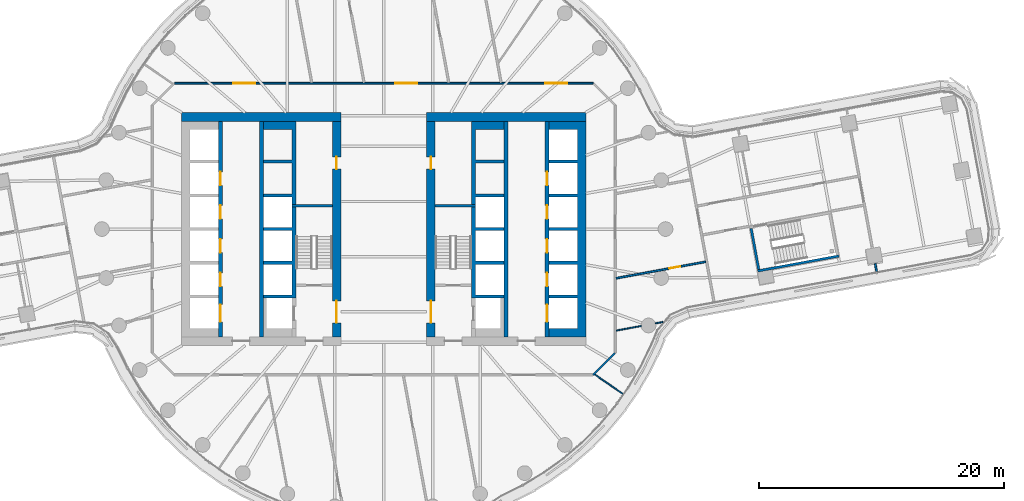
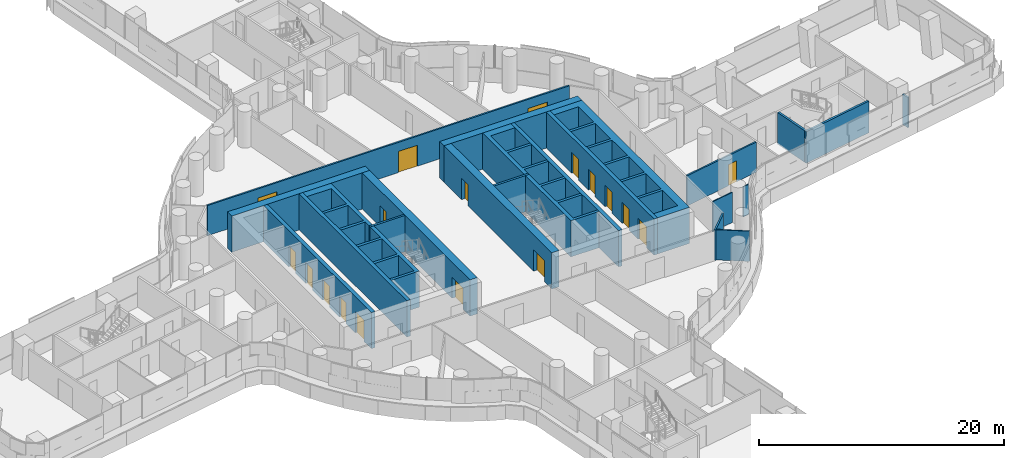
# One storey, part 22 of 33: 22 walls, 18 doors, 18 openings.
"""IFC4 building model written with IfcOpenShell, lengths in metres."""

import ifcopenshell
import ifcopenshell.guid

model = None  # the IFC model being written
_history = None  # IfcOwnerHistory: only IFC2X3 demands one
_inside = {}  # id of a spatial element -> (the spatial element, [elements in it])
_under = {}  # id of a project, library or spatial element -> (it, [spatial elements below it])
_declared = {}  # id of a project -> (the project, [libraries it declares])
_typed = {}  # id of a type object -> (the type object, [elements of that type])
_made_of = {}  # id of a material, layer set ... -> (it, [elements and type objects made of it])


def new_model(schema):
    """Start an empty IFC model of exactly this schema.

    Asked for "IFC4X3", IfcOpenShell would pick the latest addendum, in which some entities
    have other attributes; the version numbers below select the first issue.
    IFC2X3 requires an IfcOwnerHistory on every rooted entity: one is made here for all.
    """
    global model, _history
    if schema == "IFC4X3":
        model = ifcopenshell.file(schema_version=(4, 3, 0, 0))
    else:
        model = ifcopenshell.file(schema=schema)
    _inside.clear()
    _under.clear()
    _declared.clear()
    _typed.clear()
    _made_of.clear()
    _history = None
    if model.schema == "IFC2X3":
        org = make("IfcOrganization", Name="unknown")
        user = make(
            "IfcPersonAndOrganization",
            ThePerson=make("IfcPerson", FamilyName="unknown"),
            TheOrganization=org,
        )
        app = make(
            "IfcApplication",
            ApplicationDeveloper=org,
            Version="unknown",
            ApplicationFullName="unknown",
            ApplicationIdentifier="unknown",
        )
        _history = make(
            "IfcOwnerHistory",
            OwningUser=user,
            OwningApplication=app,
            ChangeAction="ADDED",
            CreationDate=0,
        )
    return model


def make(cls, **values):
    """One entity of the class cls with the attributes given. An attribute that is None is left unset."""
    return model.create_entity(
        cls, **{name: value for name, value in values.items() if value is not None}
    )


def rooted(cls, **values):
    """An entity with a GlobalId (a new one), such as an element, a storey or a relation."""
    return make(cls, GlobalId=ifcopenshell.guid.new(), OwnerHistory=_history, **values)


def si_unit(unit_type, name, prefix=None):
    """IfcSIUnit, for example si_unit("LENGTHUNIT", "METRE", prefix="MILLI")."""
    return make("IfcSIUnit", UnitType=unit_type, Prefix=prefix, Name=name)


def assignment(units):
    """IfcUnitAssignment: the units of a project."""
    return None if units is None else make("IfcUnitAssignment", Units=units)


def point(xyz):
    """IfcCartesianPoint."""
    return None if xyz is None else make("IfcCartesianPoint", Coordinates=xyz)


def direction(xyz):
    """IfcDirection."""
    return None if xyz is None else make("IfcDirection", DirectionRatios=xyz)


def frame(location, z_axis=None, x_axis=None):
    """IfcAxis2Placement3D, a coordinate frame: its origin and axes. An axis left out is left unset."""
    return make(
        "IfcAxis2Placement3D",
        Location=point(location),
        Axis=direction(z_axis),
        RefDirection=direction(x_axis),
    )


def frame_2d(location, x_axis=None):
    """IfcAxis2Placement2D, a coordinate frame in the plane: its origin and x axis."""
    return make(
        "IfcAxis2Placement2D", Location=point(location), RefDirection=direction(x_axis)
    )


def origin():
    """The frame at (0, 0, 0) with its axes left unset."""
    return frame((0.0, 0.0, 0.0))


def place(relative_to, where):
    """IfcLocalPlacement: puts the frame where relative to a parent placement (None: the world)."""
    return make(
        "IfcLocalPlacement", PlacementRelTo=relative_to, RelativePlacement=where
    )


def context(
    kind, dimensions, precision=None, world=None, true_north=None, identifier=None
):
    """IfcGeometricRepresentationContext, for example the 3D "Model" context."""
    return make(
        "IfcGeometricRepresentationContext",
        ContextIdentifier=identifier,
        ContextType=kind,
        CoordinateSpaceDimension=dimensions,
        Precision=precision,
        WorldCoordinateSystem=world,
        TrueNorth=true_north,
    )


def subcontext(parent, identifier, kind, view, scale=None):
    """IfcGeometricRepresentationSubContext, for example "Body" below "Model"."""
    return make(
        "IfcGeometricRepresentationSubContext",
        ContextIdentifier=identifier,
        ContextType=kind,
        ParentContext=parent,
        TargetScale=scale,
        TargetView=view,
    )


def project(units=None, contexts=None):
    """IfcProject with its units and contexts."""
    return rooted(
        "IfcProject",
        Name="project",
        RepresentationContexts=contexts,
        UnitsInContext=assignment(units),
    )


def spatial(cls, under=None, at=None, **own):
    """A site, building, storey or space (cls), placed at a placement, below another one or the project."""
    s = rooted(cls, ObjectPlacement=at, **own)
    if under is not None:
        _under.setdefault(under.id(), (under, []))[1].append(s)
    return s


def polyline(points):
    """IfcPolyline through the points."""
    return make("IfcPolyline", Points=[point(p) for p in points])


def profile(cls, at=None, kind="AREA", **sizes):
    """A parametric profile (cls). Its sizes go by their IFC names, for example OverallWidth=200.0."""
    return make(cls, ProfileType=kind, Position=at, **sizes)


def rectangle(**sizes):
    """IfcRectangleProfileDef."""
    return profile("IfcRectangleProfileDef", **sizes)


def outline(outer, holes=None, kind="AREA"):
    """IfcArbitraryClosedProfileDef: a profile drawn as a closed curve; with holes, ...WithVoids."""
    if holes is None:
        return make("IfcArbitraryClosedProfileDef", ProfileType=kind, OuterCurve=outer)
    return make(
        "IfcArbitraryProfileDefWithVoids",
        ProfileType=kind,
        OuterCurve=outer,
        InnerCurves=holes,
    )


def extrude(swept, where, along, depth):
    """IfcExtrudedAreaSolid: the profile swept, set in the frame where, extruded along a direction by depth."""
    return make(
        "IfcExtrudedAreaSolid",
        SweptArea=swept,
        Position=where,
        ExtrudedDirection=direction(along),
        Depth=depth,
    )


def shape(context_of_items, identifier, shape_type, items):
    """IfcShapeRepresentation: the items that make up one representation, for example the "Body"."""
    return make(
        "IfcShapeRepresentation",
        ContextOfItems=context_of_items,
        RepresentationIdentifier=identifier,
        RepresentationType=shape_type,
        Items=items,
    )


def material(Name=None, Category=None):
    """IfcMaterial."""
    return make("IfcMaterial", Name=Name, Category=Category)


def layer(
    of_material, thickness, ventilated=None, Name=None, Category=None, Priority=None
):
    """IfcMaterialLayer: one layer of a wall or slab, of a material (None: an air gap)."""
    return make(
        "IfcMaterialLayer",
        Material=of_material,
        LayerThickness=thickness,
        IsVentilated=ventilated,
        Name=Name,
        Category=Category,
        Priority=Priority,
    )


def layer_set(layers, Name=None):
    """IfcMaterialLayerSet."""
    return make("IfcMaterialLayerSet", MaterialLayers=layers, LayerSetName=Name)


def made_of(thing, what):
    """Note that an element or type object is made of a material, layer set ...; save() writes the relation."""
    if what is not None:
        _made_of.setdefault(what.id(), (what, []))[1].append(thing)
    return thing


def type_object(cls, material=None, **own):
    """A type object (cls), such as IfcWallType, which elements share."""
    return made_of(rooted(cls, **own), material)


def element(
    cls,
    number,
    at=None,
    inside=None,
    cuts=None,
    type_object=None,
    material=None,
    context=None,
    identifier="Body",
    shape_type=None,
    held_by="IfcProductDefinitionShape",
    body=None,
    shapes=None,
    **own,
):
    """One element of the class cls, such as IfcWall. Its Tag is "e" and its number.

    at: its placement. inside: the storey or other place that contains it. cuts: it is an
    opening in that element (IfcRelVoidsElement). A single representation is given by context,
    identifier, shape_type and body (its items); several are given by shapes. held_by: the class
    of the entity that holds the representations. save() writes the other relations.
    """
    e = rooted(cls, Tag="e%d" % number, ObjectPlacement=at, **own)
    if body is not None:
        shapes = [shape(context, identifier, shape_type, body)]
    if shapes is not None:
        e.Representation = make(held_by, Representations=shapes)
    if inside is not None:
        _inside.setdefault(inside.id(), (inside, []))[1].append(e)
    if cuts is not None:
        rooted(
            "IfcRelVoidsElement", RelatingBuildingElement=cuts, RelatedOpeningElement=e
        )
    if type_object is not None:
        _typed.setdefault(type_object.id(), (type_object, []))[1].append(e)
    return made_of(e, material)


def fill(opening, filler):
    """IfcRelFillsElement: the door or window that sits in an opening."""
    return rooted(
        "IfcRelFillsElement",
        RelatingOpeningElement=opening,
        RelatedBuildingElement=filler,
    )


def aggregate(whole, parts):
    """IfcRelAggregates: a whole, such as a stair, and the parts it consists of."""
    return rooted("IfcRelAggregates", RelatingObject=whole, RelatedObjects=parts)


def save(model, path):
    """Write the relations noted so far, then the file.

    IfcRelAggregates (storeys below a building ...), IfcRelContainedInSpatialStructure (elements
    in a storey), IfcRelDefinesByType, IfcRelAssociatesMaterial and IfcRelDeclares: one each for
    every whole, place, type object, material and project.
    """
    for whole, parts in _under.values():
        aggregate(whole, parts)
    for where, things in _inside.values():
        rooted(
            "IfcRelContainedInSpatialStructure",
            RelatedElements=things,
            RelatingStructure=where,
        )
    for kind, things in _typed.values():
        rooted("IfcRelDefinesByType", RelatedObjects=things, RelatingType=kind)
    for what, things in _made_of.values():
        rooted("IfcRelAssociatesMaterial", RelatedObjects=things, RelatingMaterial=what)
    for by, libraries in _declared.values():
        rooted("IfcRelDeclares", RelatingContext=by, RelatedDefinitions=libraries)
    model.write(path)


model = new_model("IFC4")

# Units and contexts
model_context = context("Model", 3, precision=1e-05, world=origin(), true_north=direction((0.0, 1.0)))
body_context = subcontext(model_context, "Body", "Model", "MODEL_VIEW")
ifc_project = project(units=[si_unit("LENGTHUNIT", "METRE"), si_unit("AREAUNIT", "SQUARE_METRE"), si_unit("VOLUMEUNIT", "CUBIC_METRE"), si_unit("PLANEANGLEUNIT", "RADIAN"), si_unit("MASSUNIT", "GRAM", prefix="KILO")], contexts=[model_context])

# Site, building, storey
site_placement = place(None, origin())
site = spatial("IfcSite", under=ifc_project, at=site_placement, CompositionType="ELEMENT")
building_placement = place(site_placement, origin())
building = spatial("IfcBuilding", under=site, at=building_placement, Name="Tamarind Cross Interchange Tower", CompositionType="ELEMENT")
storey_placement = place(building_placement, frame((0.0, 0.0, 71.5)))
storey = spatial("IfcBuildingStorey", under=building, at=storey_placement, Name="L16", CompositionType="ELEMENT", Elevation=71.5)

# Wall
ifc_material_1 = material(Name="Concrete C80", Category="concrete")
ifc_layer_1 = layer(ifc_material_1, 0.699951171875)
ifc_layer_set_1 = layer_set([ifc_layer_1], Name="Concrete C80")
wall_type_1 = type_object("IfcWallType", Name="Core wall 700 mm Concrete C80", PredefinedType="SHEAR", material=ifc_layer_set_1)
wall_1_placement = place(storey_placement, frame((-16.5, 9.14990234375, 0.0), z_axis=(0.0, 0.0, 1.0), x_axis=(1.0, 0.0, 0.0)))
element("IfcWall", 1, at=wall_1_placement, inside=storey, type_object=wall_type_1, Name="Core wall CWL-L16-W-NE", PredefinedType="SHEAR", context=body_context, shape_type="SweptSolid", body=[
    extrude(rectangle(XDim=13.0, YDim=0.699951171875, at=frame_2d((6.5, 0.0))), origin(), (0.0, 0.0, 1.0), 3.610107421875),
])

# Wall, openings, doors
wall_2_placement = place(storey_placement, frame((-3.85009765625, -8.800048828125, 0.0), z_axis=(0.0, 0.0, 1.0), x_axis=(0.0, 1.0, 0.0)))
wall_2 = element("IfcWall", 2, at=wall_2_placement, inside=storey, type_object=wall_type_1, Name="Core wall CWL-L16-W-IN", PredefinedType="SHEAR", context=body_context, shape_type="SweptSolid", body=[
    extrude(rectangle(XDim=17.60009765625, YDim=0.699951171875, at=frame_2d((8.800048828125, 0.0))), origin(), (0.0, 0.0, 1.0), 3.610107421875),
])
opening_1_placement = place(wall_2_placement, frame((1.14990234375, 0.0, 0.0)))
opening_1 = element("IfcOpeningElement", 3, at=opening_1_placement, cuts=wall_2, Name="Opening DCW4", PredefinedType="OPENING", context=body_context, shape_type="SweptSolid", body=[
    extrude(rectangle(XDim=1.800048828125, YDim=2.10009765625, at=frame_2d((0.89990234375, 1.050048828125))), frame((0.0, 0.35986328125, 0.0), z_axis=(0.0, -1.0, 0.0), x_axis=(1.0, 0.0, 0.0)), (0.0, 0.0, 1.0), 0.719970703125),
])
opening_2_placement = place(wall_2_placement, frame((13.699951171875, 0.0, 0.0)))
opening_2 = element("IfcOpeningElement", 4, at=opening_2_placement, cuts=wall_2, Name="Opening DCW5", PredefinedType="OPENING", context=body_context, shape_type="SweptSolid", body=[
    extrude(rectangle(XDim=1.0, YDim=2.10009765625, at=frame_2d((0.5, 1.050048828125))), frame((0.0, 0.35986328125, 0.0), z_axis=(0.0, -1.0, 0.0), x_axis=(1.0, 0.0, 0.0)), (0.0, 0.0, 1.0), 0.719970703125),
])
ifc_material_2 = material(Name="Steel, fire-resisting", Category="steel")
door_type_1 = type_object("IfcDoorType", Name="Core fire door 1000 x 2100 FD90", OperationType="SINGLE_SWING_LEFT", PredefinedType="DOOR", material=ifc_material_2)
door_1_placement = place(opening_2_placement, origin())
door_1 = element("IfcDoor", 5, at=door_1_placement, inside=storey, type_object=door_type_1, Name="L16 riser room door", OperationType="SINGLE_SWING_LEFT", OverallHeight=2.10009765625, OverallWidth=1.0, PredefinedType="DOOR", context=body_context, shape_type="SweptSolid", body=[
    extrude(rectangle(XDim=1.0, YDim=2.10009765625, at=frame_2d((0.5, 1.050048828125))), frame((0.0, 0.02490234375, 0.0), z_axis=(0.0, -1.0, 0.0), x_axis=(1.0, 0.0, 0.0)), (0.0, 0.0, 1.0), 0.050048828125),
])
fill(opening_2, door_1)
door_type_2 = type_object("IfcDoorType", Name="Core fire door 1800 x 2100 FD90", OperationType="SINGLE_SWING_LEFT", PredefinedType="DOOR", material=ifc_material_2)
door_2_placement = place(opening_1_placement, origin())
door_2 = element("IfcDoor", 6, at=door_2_placement, inside=storey, type_object=door_type_2, Name="L16 firefighting lobby door", OperationType="SINGLE_SWING_LEFT", OverallHeight=2.10009765625, OverallWidth=1.800048828125, PredefinedType="DOOR", context=body_context, shape_type="SweptSolid", body=[
    extrude(rectangle(XDim=1.800048828125, YDim=2.10009765625, at=frame_2d((0.89990234375, 1.050048828125))), frame((0.0, 0.02490234375, 0.0), z_axis=(0.0, -1.0, 0.0), x_axis=(1.0, 0.0, 0.0)), (0.0, 0.0, 1.0), 0.050048828125),
])
fill(opening_1, door_2)

# Walls
wall_3_placement = place(storey_placement, origin())
element("IfcWall", 7, at=wall_3_placement, inside=storey, type_object=wall_type_1, Name="Core wall CWL-L16-E-A", PredefinedType="SHEAR", context=body_context, shape_type="SweptSolid", body=[
    extrude(outline(polyline([(13.5, -8.800048828125), (15.800048828125, -8.800048828125), (16.5, -8.800048828125), (16.5, 8.800048828125), (15.800048828125, 8.800048828125), (13.5, 8.800048828125), (13.5, 8.125), (15.800048828125, 8.125), (15.800048828125, 5.625), (13.5, 5.625), (13.5, 5.375), (15.800048828125, 5.375), (15.800048828125, 2.875), (13.5, 2.875), (13.5, 2.625), (15.800048828125, 2.625), (15.800048828125, 0.125), (13.5, 0.125), (13.5, -0.125), (15.800048828125, -0.125), (15.800048828125, -2.625), (13.5, -2.625), (13.5, -2.875), (15.800048828125, -2.875), (15.800048828125, -5.375), (13.5, -5.375), (13.5, -5.625), (15.800048828125, -5.625), (15.800048828125, -8.125), (13.5, -8.125), (13.5, -8.800048828125)])), origin(), (0.0, 0.0, 1.0), 3.610107421875),
])
wall_4_placement = place(storey_placement, frame((16.5, 9.14990234375, 0.0), z_axis=(0.0, 0.0, 1.0), x_axis=(-1.0, 0.0, 0.0)))
element("IfcWall", 8, at=wall_4_placement, inside=storey, type_object=wall_type_1, Name="Core wall CWL-L16-E-NE", PredefinedType="SHEAR", context=body_context, shape_type="SweptSolid", body=[
    extrude(rectangle(XDim=13.0, YDim=0.699951171875, at=frame_2d((6.5, 0.0))), origin(), (0.0, 0.0, 1.0), 3.610107421875),
])

# Wall, openings, doors
wall_5_placement = place(storey_placement, frame((3.85009765625, -8.800048828125, 0.0), z_axis=(0.0, 0.0, 1.0), x_axis=(0.0, 1.0, 0.0)))
wall_5 = element("IfcWall", 9, at=wall_5_placement, inside=storey, type_object=wall_type_1, Name="Core wall CWL-L16-E-IN", PredefinedType="SHEAR", context=body_context, shape_type="SweptSolid", body=[
    extrude(rectangle(XDim=17.60009765625, YDim=0.699951171875, at=frame_2d((8.800048828125, 0.0))), origin(), (0.0, 0.0, 1.0), 3.610107421875),
])
opening_3_placement = place(wall_5_placement, frame((1.14990234375, 0.0, 0.0)))
opening_3 = element("IfcOpeningElement", 10, at=opening_3_placement, cuts=wall_5, Name="Opening DCE4", PredefinedType="OPENING", context=body_context, shape_type="SweptSolid", body=[
    extrude(rectangle(XDim=1.800048828125, YDim=2.10009765625, at=frame_2d((0.89990234375, 1.050048828125))), frame((0.0, 0.35986328125, 0.0), z_axis=(0.0, -1.0, 0.0), x_axis=(1.0, 0.0, 0.0)), (0.0, 0.0, 1.0), 0.719970703125),
])
opening_4_placement = place(wall_5_placement, frame((13.699951171875, 0.0, 0.0)))
opening_4 = element("IfcOpeningElement", 11, at=opening_4_placement, cuts=wall_5, Name="Opening DCE5", PredefinedType="OPENING", context=body_context, shape_type="SweptSolid", body=[
    extrude(rectangle(XDim=1.0, YDim=2.10009765625, at=frame_2d((0.5, 1.050048828125))), frame((0.0, 0.35986328125, 0.0), z_axis=(0.0, -1.0, 0.0), x_axis=(1.0, 0.0, 0.0)), (0.0, 0.0, 1.0), 0.719970703125),
])
door_3_placement = place(opening_4_placement, origin())
door_3 = element("IfcDoor", 12, at=door_3_placement, inside=storey, type_object=door_type_1, Name="L16 riser room door", OperationType="SINGLE_SWING_LEFT", OverallHeight=2.10009765625, OverallWidth=1.0, PredefinedType="DOOR", context=body_context, shape_type="SweptSolid", body=[
    extrude(rectangle(XDim=1.0, YDim=2.10009765625, at=frame_2d((0.5, 1.050048828125))), frame((0.0, 0.02490234375, 0.0), z_axis=(0.0, -1.0, 0.0), x_axis=(1.0, 0.0, 0.0)), (0.0, 0.0, 1.0), 0.050048828125),
])
fill(opening_4, door_3)
door_4_placement = place(opening_3_placement, origin())
door_4 = element("IfcDoor", 13, at=door_4_placement, inside=storey, type_object=door_type_2, Name="L16 firefighting lobby door", OperationType="SINGLE_SWING_LEFT", OverallHeight=2.10009765625, OverallWidth=1.800048828125, PredefinedType="DOOR", context=body_context, shape_type="SweptSolid", body=[
    extrude(rectangle(XDim=1.800048828125, YDim=2.10009765625, at=frame_2d((0.89990234375, 1.050048828125))), frame((0.0, 0.02490234375, 0.0), z_axis=(0.0, -1.0, 0.0), x_axis=(1.0, 0.0, 0.0)), (0.0, 0.0, 1.0), 0.050048828125),
])
fill(opening_3, door_4)

# Walls
ifc_layer_2 = layer(ifc_material_1, 0.199951171875)
ifc_layer_set_2 = layer_set([ifc_layer_2], Name="Concrete C80")
wall_type_2 = type_object("IfcWallType", Name="Core web wall 200 mm Concrete C80", PredefinedType="SHEAR", material=ifc_layer_set_2)
for number, where, z_axis, x_axis, name in (
    (14, (-7.5, 1.89990234375, 0.0), (0.0, 0.0, 1.0), (1.0, 0.0, 0.0), "Core wall CWL-L16-W-BD"),
    (15, (7.5, 1.89990234375, 0.0), (0.0, 0.0, 1.0), (-1.0, 0.0, 0.0), "Core wall CWL-L16-E-BD"),
):
    element("IfcWall", number, at=place(storey_placement, frame(where, z_axis=z_axis, x_axis=x_axis)), inside=storey, type_object=wall_type_2, Name=name, PredefinedType="SHEAR", context=body_context, shape_type="SweptSolid", body=[
        extrude(rectangle(XDim=3.300048828125, YDim=0.199951171875, at=frame_2d((1.64990234375, 0.0))), origin(), (0.0, 0.0, 1.0), 3.610107421875),
    ])
ifc_layer_3 = layer(ifc_material_1, 0.35009765625)
ifc_layer_set_3 = layer_set([ifc_layer_3], Name="Concrete C80")
wall_type_3 = type_object("IfcWallType", Name="Core web wall 350 mm Concrete C80", PredefinedType="SHEAR", material=ifc_layer_set_3)
wall_6_placement = place(storey_placement, origin())
element("IfcWall", 16, at=wall_6_placement, inside=storey, type_object=wall_type_3, Name="Core wall CWL-L16-W-BN", PredefinedType="SHEAR", context=body_context, shape_type="SweptSolid", body=[
    extrude(outline(polyline([(-9.800048828125, -5.375), (-9.800048828125, -5.625), (-7.5, -5.625), (-7.14990234375, -5.625), (-7.14990234375, 8.800048828125), (-7.5, 8.800048828125), (-9.800048828125, 8.800048828125), (-9.800048828125, 8.125), (-7.5, 8.125), (-7.5, 5.625), (-9.800048828125, 5.625), (-9.800048828125, 5.375), (-7.5, 5.375), (-7.5, 2.875), (-9.800048828125, 2.875), (-9.800048828125, 2.625), (-7.5, 2.625), (-7.5, 0.125), (-9.800048828125, 0.125), (-9.800048828125, -0.125), (-7.5, -0.125), (-7.5, -2.625), (-9.800048828125, -2.625), (-9.800048828125, -2.875), (-7.5, -2.875), (-7.5, -5.375), (-9.800048828125, -5.375)])), origin(), (0.0, 0.0, 1.0), 3.610107421875),
])

# Wall, openings, doors
wall_7_placement = place(storey_placement, frame((-13.324951171875, -8.800048828125, 0.0), z_axis=(0.0, 0.0, 1.0), x_axis=(0.0, 1.0, 0.0)))
wall_7 = element("IfcWall", 17, at=wall_7_placement, inside=storey, type_object=wall_type_3, Name="Core wall CWL-L16-W-LA", PredefinedType="SHEAR", context=body_context, shape_type="SweptSolid", body=[
    extrude(rectangle(XDim=17.60009765625, YDim=0.35009765625, at=frame_2d((8.800048828125, 0.0))), origin(), (0.0, 0.0, 1.0), 3.610107421875),
])
opening_5_placement = place(wall_7_placement, frame((1.22509765625, 0.0, 0.0)))
opening_5 = element("IfcOpeningElement", 18, at=opening_5_placement, cuts=wall_7, Name="Opening LD1L16", PredefinedType="OPENING", context=body_context, shape_type="SweptSolid", body=[
    extrude(rectangle(XDim=1.39990234375, YDim=2.10009765625, at=frame_2d((0.699951171875, 1.050048828125))), frame((0.0, 0.18505859375, 0.0), z_axis=(0.0, -1.0, 0.0), x_axis=(1.0, 0.0, 0.0)), (0.0, 0.0, 1.0), 0.3701171875),
])
opening_6_placement = place(wall_7_placement, frame((4.125, 0.0, 0.0)))
opening_6 = element("IfcOpeningElement", 19, at=opening_6_placement, cuts=wall_7, Name="Opening LD2L16", PredefinedType="OPENING", context=body_context, shape_type="SweptSolid", body=[
    extrude(rectangle(XDim=1.10009765625, YDim=2.10009765625, at=frame_2d((0.550048828125, 1.050048828125))), frame((0.0, 0.18505859375, 0.0), z_axis=(0.0, -1.0, 0.0), x_axis=(1.0, 0.0, 0.0)), (0.0, 0.0, 1.0), 0.3701171875),
])
opening_7_placement = place(wall_7_placement, frame((6.875, 0.0, 0.0)))
opening_7 = element("IfcOpeningElement", 20, at=opening_7_placement, cuts=wall_7, Name="Opening LD3L16", PredefinedType="OPENING", context=body_context, shape_type="SweptSolid", body=[
    extrude(rectangle(XDim=1.10009765625, YDim=2.10009765625, at=frame_2d((0.550048828125, 1.050048828125))), frame((0.0, 0.18505859375, 0.0), z_axis=(0.0, -1.0, 0.0), x_axis=(1.0, 0.0, 0.0)), (0.0, 0.0, 1.0), 0.3701171875),
])
opening_8_placement = place(wall_7_placement, frame((9.625, 0.0, 0.0)))
opening_8 = element("IfcOpeningElement", 21, at=opening_8_placement, cuts=wall_7, Name="Opening LD4L16", PredefinedType="OPENING", context=body_context, shape_type="SweptSolid", body=[
    extrude(rectangle(XDim=1.10009765625, YDim=2.10009765625, at=frame_2d((0.550048828125, 1.050048828125))), frame((0.0, 0.18505859375, 0.0), z_axis=(0.0, -1.0, 0.0), x_axis=(1.0, 0.0, 0.0)), (0.0, 0.0, 1.0), 0.3701171875),
])
opening_9_placement = place(wall_7_placement, frame((12.375, 0.0, 0.0)))
opening_9 = element("IfcOpeningElement", 22, at=opening_9_placement, cuts=wall_7, Name="Opening LD5L16", PredefinedType="OPENING", context=body_context, shape_type="SweptSolid", body=[
    extrude(rectangle(XDim=1.10009765625, YDim=2.10009765625, at=frame_2d((0.550048828125, 1.050048828125))), frame((0.0, 0.18505859375, 0.0), z_axis=(0.0, -1.0, 0.0), x_axis=(1.0, 0.0, 0.0)), (0.0, 0.0, 1.0), 0.3701171875),
])
ifc_material_3 = material(Name="Stainless steel panel", Category="steel")
door_type_3 = type_object("IfcDoorType", Name="Lift landing door 1100 x 2100 E 120", OperationType="SLIDING_TO_LEFT", PredefinedType="DOOR", material=ifc_material_3)
door_5_placement = place(opening_6_placement, origin())
door_5 = element("IfcDoor", 23, at=door_5_placement, inside=storey, type_object=door_type_3, Name="L16 landing door LF2", OperationType="SLIDING_TO_LEFT", OverallHeight=2.10009765625, OverallWidth=1.10009765625, PredefinedType="DOOR", context=body_context, shape_type="SweptSolid", body=[
    extrude(rectangle(XDim=1.10009765625, YDim=2.10009765625, at=frame_2d((0.550048828125, 1.050048828125))), frame((0.0, 0.02490234375, 0.0), z_axis=(0.0, -1.0, 0.0), x_axis=(1.0, 0.0, 0.0)), (0.0, 0.0, 1.0), 0.050048828125),
])
fill(opening_6, door_5)
door_6_placement = place(opening_7_placement, origin())
door_6 = element("IfcDoor", 24, at=door_6_placement, inside=storey, type_object=door_type_3, Name="L16 landing door LF3", OperationType="SLIDING_TO_LEFT", OverallHeight=2.10009765625, OverallWidth=1.10009765625, PredefinedType="DOOR", context=body_context, shape_type="SweptSolid", body=[
    extrude(rectangle(XDim=1.10009765625, YDim=2.10009765625, at=frame_2d((0.550048828125, 1.050048828125))), frame((0.0, 0.02490234375, 0.0), z_axis=(0.0, -1.0, 0.0), x_axis=(1.0, 0.0, 0.0)), (0.0, 0.0, 1.0), 0.050048828125),
])
fill(opening_7, door_6)
door_7_placement = place(opening_8_placement, origin())
door_7 = element("IfcDoor", 25, at=door_7_placement, inside=storey, type_object=door_type_3, Name="L16 landing door LF4", OperationType="SLIDING_TO_LEFT", OverallHeight=2.10009765625, OverallWidth=1.10009765625, PredefinedType="DOOR", context=body_context, shape_type="SweptSolid", body=[
    extrude(rectangle(XDim=1.10009765625, YDim=2.10009765625, at=frame_2d((0.550048828125, 1.050048828125))), frame((0.0, 0.02490234375, 0.0), z_axis=(0.0, -1.0, 0.0), x_axis=(1.0, 0.0, 0.0)), (0.0, 0.0, 1.0), 0.050048828125),
])
fill(opening_8, door_7)
door_8_placement = place(opening_9_placement, origin())
door_8 = element("IfcDoor", 26, at=door_8_placement, inside=storey, type_object=door_type_3, Name="L16 landing door LF5", OperationType="SLIDING_TO_LEFT", OverallHeight=2.10009765625, OverallWidth=1.10009765625, PredefinedType="DOOR", context=body_context, shape_type="SweptSolid", body=[
    extrude(rectangle(XDim=1.10009765625, YDim=2.10009765625, at=frame_2d((0.550048828125, 1.050048828125))), frame((0.0, 0.02490234375, 0.0), z_axis=(0.0, -1.0, 0.0), x_axis=(1.0, 0.0, 0.0)), (0.0, 0.0, 1.0), 0.050048828125),
])
fill(opening_9, door_8)
door_type_4 = type_object("IfcDoorType", Name="Lift landing door 1400 x 2100 E 120", OperationType="SLIDING_TO_LEFT", PredefinedType="DOOR", material=ifc_material_3)
door_9_placement = place(opening_5_placement, origin())
door_9 = element("IfcDoor", 27, at=door_9_placement, inside=storey, type_object=door_type_4, Name="L16 landing door LF1", OperationType="SLIDING_TO_LEFT", OverallHeight=2.10009765625, OverallWidth=1.39990234375, PredefinedType="DOOR", context=body_context, shape_type="SweptSolid", body=[
    extrude(rectangle(XDim=1.39990234375, YDim=2.10009765625, at=frame_2d((0.699951171875, 1.050048828125))), frame((0.0, 0.02490234375, 0.0), z_axis=(0.0, -1.0, 0.0), x_axis=(1.0, 0.0, 0.0)), (0.0, 0.0, 1.0), 0.050048828125),
])
fill(opening_5, door_9)

# Walls
wall_8_placement = place(storey_placement, frame((-9.97509765625, -8.800048828125, 0.0), z_axis=(0.0, 0.0, 1.0), x_axis=(0.0, 1.0, 0.0)))
element("IfcWall", 28, at=wall_8_placement, inside=storey, type_object=wall_type_3, Name="Core wall CWL-L16-W-LB", PredefinedType="SHEAR", context=body_context, shape_type="SweptSolid", body=[
    extrude(rectangle(XDim=17.60009765625, YDim=0.35009765625, at=frame_2d((8.800048828125, 0.0))), origin(), (0.0, 0.0, 1.0), 3.610107421875),
])
wall_9_placement = place(storey_placement, origin())
element("IfcWall", 29, at=wall_9_placement, inside=storey, type_object=wall_type_3, Name="Core wall CWL-L16-E-BN", PredefinedType="SHEAR", context=body_context, shape_type="SweptSolid", body=[
    extrude(outline(polyline([(9.800048828125, -5.375), (7.5, -5.375), (7.5, -2.875), (9.800048828125, -2.875), (9.800048828125, -2.625), (7.5, -2.625), (7.5, -0.125), (9.800048828125, -0.125), (9.800048828125, 0.125), (7.5, 0.125), (7.5, 2.625), (9.800048828125, 2.625), (9.800048828125, 2.875), (7.5, 2.875), (7.5, 5.375), (9.800048828125, 5.375), (9.800048828125, 5.625), (7.5, 5.625), (7.5, 8.125), (9.800048828125, 8.125), (9.800048828125, 8.800048828125), (7.5, 8.800048828125), (7.14990234375, 8.800048828125), (7.14990234375, -5.625), (7.5, -5.625), (9.800048828125, -5.625), (9.800048828125, -5.375)])), origin(), (0.0, 0.0, 1.0), 3.610107421875),
])

# Wall, openings, doors
wall_10_placement = place(storey_placement, frame((13.324951171875, -8.800048828125, 0.0), z_axis=(0.0, 0.0, 1.0), x_axis=(0.0, 1.0, 0.0)))
wall_10 = element("IfcWall", 30, at=wall_10_placement, inside=storey, type_object=wall_type_3, Name="Core wall CWL-L16-E-LA", PredefinedType="SHEAR", context=body_context, shape_type="SweptSolid", body=[
    extrude(rectangle(XDim=17.60009765625, YDim=0.35009765625, at=frame_2d((8.800048828125, 0.0))), origin(), (0.0, 0.0, 1.0), 3.610107421875),
])
opening_10_placement = place(wall_10_placement, frame((1.22509765625, 0.0, 0.0)))
opening_10 = element("IfcOpeningElement", 31, at=opening_10_placement, cuts=wall_10, Name="Opening LD13L16", PredefinedType="OPENING", context=body_context, shape_type="SweptSolid", body=[
    extrude(rectangle(XDim=1.39990234375, YDim=2.10009765625, at=frame_2d((0.699951171875, 1.050048828125))), frame((0.0, 0.18505859375, 0.0), z_axis=(0.0, -1.0, 0.0), x_axis=(1.0, 0.0, 0.0)), (0.0, 0.0, 1.0), 0.3701171875),
])
opening_11_placement = place(wall_10_placement, frame((4.125, 0.0, 0.0)))
opening_11 = element("IfcOpeningElement", 32, at=opening_11_placement, cuts=wall_10, Name="Opening LD14L16", PredefinedType="OPENING", context=body_context, shape_type="SweptSolid", body=[
    extrude(rectangle(XDim=1.10009765625, YDim=2.10009765625, at=frame_2d((0.550048828125, 1.050048828125))), frame((0.0, 0.18505859375, 0.0), z_axis=(0.0, -1.0, 0.0), x_axis=(1.0, 0.0, 0.0)), (0.0, 0.0, 1.0), 0.3701171875),
])
opening_12_placement = place(wall_10_placement, frame((6.875, 0.0, 0.0)))
opening_12 = element("IfcOpeningElement", 33, at=opening_12_placement, cuts=wall_10, Name="Opening LD15L16", PredefinedType="OPENING", context=body_context, shape_type="SweptSolid", body=[
    extrude(rectangle(XDim=1.10009765625, YDim=2.10009765625, at=frame_2d((0.550048828125, 1.050048828125))), frame((0.0, 0.18505859375, 0.0), z_axis=(0.0, -1.0, 0.0), x_axis=(1.0, 0.0, 0.0)), (0.0, 0.0, 1.0), 0.3701171875),
])
opening_13_placement = place(wall_10_placement, frame((9.625, 0.0, 0.0)))
opening_13 = element("IfcOpeningElement", 34, at=opening_13_placement, cuts=wall_10, Name="Opening LD16L16", PredefinedType="OPENING", context=body_context, shape_type="SweptSolid", body=[
    extrude(rectangle(XDim=1.10009765625, YDim=2.10009765625, at=frame_2d((0.550048828125, 1.050048828125))), frame((0.0, 0.18505859375, 0.0), z_axis=(0.0, -1.0, 0.0), x_axis=(1.0, 0.0, 0.0)), (0.0, 0.0, 1.0), 0.3701171875),
])
opening_14_placement = place(wall_10_placement, frame((12.375, 0.0, 0.0)))
opening_14 = element("IfcOpeningElement", 35, at=opening_14_placement, cuts=wall_10, Name="Opening LD17L16", PredefinedType="OPENING", context=body_context, shape_type="SweptSolid", body=[
    extrude(rectangle(XDim=1.10009765625, YDim=2.10009765625, at=frame_2d((0.550048828125, 1.050048828125))), frame((0.0, 0.18505859375, 0.0), z_axis=(0.0, -1.0, 0.0), x_axis=(1.0, 0.0, 0.0)), (0.0, 0.0, 1.0), 0.3701171875),
])
door_10_placement = place(opening_11_placement, origin())
door_10 = element("IfcDoor", 36, at=door_10_placement, inside=storey, type_object=door_type_3, Name="L16 landing door LF14", OperationType="SLIDING_TO_LEFT", OverallHeight=2.10009765625, OverallWidth=1.10009765625, PredefinedType="DOOR", context=body_context, shape_type="SweptSolid", body=[
    extrude(rectangle(XDim=1.10009765625, YDim=2.10009765625, at=frame_2d((0.550048828125, 1.050048828125))), frame((0.0, 0.02490234375, 0.0), z_axis=(0.0, -1.0, 0.0), x_axis=(1.0, 0.0, 0.0)), (0.0, 0.0, 1.0), 0.050048828125),
])
fill(opening_11, door_10)
door_11_placement = place(opening_12_placement, origin())
door_11 = element("IfcDoor", 37, at=door_11_placement, inside=storey, type_object=door_type_3, Name="L16 landing door LF15", OperationType="SLIDING_TO_LEFT", OverallHeight=2.10009765625, OverallWidth=1.10009765625, PredefinedType="DOOR", context=body_context, shape_type="SweptSolid", body=[
    extrude(rectangle(XDim=1.10009765625, YDim=2.10009765625, at=frame_2d((0.550048828125, 1.050048828125))), frame((0.0, 0.02490234375, 0.0), z_axis=(0.0, -1.0, 0.0), x_axis=(1.0, 0.0, 0.0)), (0.0, 0.0, 1.0), 0.050048828125),
])
fill(opening_12, door_11)
door_12_placement = place(opening_13_placement, origin())
door_12 = element("IfcDoor", 38, at=door_12_placement, inside=storey, type_object=door_type_3, Name="L16 landing door LF16", OperationType="SLIDING_TO_LEFT", OverallHeight=2.10009765625, OverallWidth=1.10009765625, PredefinedType="DOOR", context=body_context, shape_type="SweptSolid", body=[
    extrude(rectangle(XDim=1.10009765625, YDim=2.10009765625, at=frame_2d((0.550048828125, 1.050048828125))), frame((0.0, 0.02490234375, 0.0), z_axis=(0.0, -1.0, 0.0), x_axis=(1.0, 0.0, 0.0)), (0.0, 0.0, 1.0), 0.050048828125),
])
fill(opening_13, door_12)
door_13_placement = place(opening_14_placement, origin())
door_13 = element("IfcDoor", 39, at=door_13_placement, inside=storey, type_object=door_type_3, Name="L16 landing door LF17", OperationType="SLIDING_TO_LEFT", OverallHeight=2.10009765625, OverallWidth=1.10009765625, PredefinedType="DOOR", context=body_context, shape_type="SweptSolid", body=[
    extrude(rectangle(XDim=1.10009765625, YDim=2.10009765625, at=frame_2d((0.550048828125, 1.050048828125))), frame((0.0, 0.02490234375, 0.0), z_axis=(0.0, -1.0, 0.0), x_axis=(1.0, 0.0, 0.0)), (0.0, 0.0, 1.0), 0.050048828125),
])
fill(opening_14, door_13)
door_14_placement = place(opening_10_placement, origin())
door_14 = element("IfcDoor", 40, at=door_14_placement, inside=storey, type_object=door_type_4, Name="L16 landing door LF13", OperationType="SLIDING_TO_LEFT", OverallHeight=2.10009765625, OverallWidth=1.39990234375, PredefinedType="DOOR", context=body_context, shape_type="SweptSolid", body=[
    extrude(rectangle(XDim=1.39990234375, YDim=2.10009765625, at=frame_2d((0.699951171875, 1.050048828125))), frame((0.0, 0.02490234375, 0.0), z_axis=(0.0, -1.0, 0.0), x_axis=(1.0, 0.0, 0.0)), (0.0, 0.0, 1.0), 0.050048828125),
])
fill(opening_10, door_14)

# Walls
wall_11_placement = place(storey_placement, frame((9.97509765625, -8.800048828125, 0.0), z_axis=(0.0, 0.0, 1.0), x_axis=(0.0, 1.0, 0.0)))
element("IfcWall", 41, at=wall_11_placement, inside=storey, type_object=wall_type_3, Name="Core wall CWL-L16-E-LB", PredefinedType="SHEAR", context=body_context, shape_type="SweptSolid", body=[
    extrude(rectangle(XDim=17.60009765625, YDim=0.35009765625, at=frame_2d((8.800048828125, 0.0))), origin(), (0.0, 0.0, 1.0), 3.610107421875),
])
ifc_material_4 = material(Name="Gypsum board partition on steel studs", Category="steel")
ifc_layer_4 = layer(ifc_material_4, 0.10009765625)
ifc_layer_set_4 = layer_set([ifc_layer_4], Name="Gypsum board partition on steel studs")
wall_type_4 = type_object("IfcWallType", Name="Partition 100 mm EI 90", PredefinedType="PARTITIONING", material=ifc_layer_set_4)
wall_12_placement = place(storey_placement, frame((17.235595703125, -11.877685546875, 0.0), z_axis=(0.0, 0.0, 1.0), x_axis=(0.823509448148, -0.567302554914, 0.0)))
element("IfcWall", 42, at=wall_12_placement, inside=storey, type_object=wall_type_4, Name="Partition L16-038", PredefinedType="PARTITIONING", context=body_context, shape_type="SweptSolid", body=[
    extrude(rectangle(XDim=2.744384765625, YDim=0.10009765625, at=frame_2d((1.3720703125, 0.0))), origin(), (0.0, 0.0, 1.0), 3.010009765625),
])
wall_13_placement = place(storey_placement, frame((18.96875, -8.287353515625, 0.0), z_axis=(0.0, 0.0, 1.0), x_axis=(0.983404735205, 0.181425264991, 0.0)))
element("IfcWall", 43, at=wall_13_placement, inside=storey, type_object=wall_type_4, Name="Partition L16-067", PredefinedType="PARTITIONING", context=body_context, shape_type="SweptSolid", body=[
    extrude(rectangle(XDim=2.080322265625, YDim=0.10009765625, at=frame_2d((1.0400390625, 0.0))), origin(), (0.0, 0.0, 1.0), 3.010009765625),
])
wall_14_placement = place(storey_placement, frame((22.17724609375, -7.695556640625, 0.0), z_axis=(0.0, 0.0, 1.0), x_axis=(0.983438406802, 0.1812426551, 0.0)))
element("IfcWall", 44, at=wall_14_placement, inside=storey, type_object=wall_type_4, Name="Partition L16-068", PredefinedType="PARTITIONING", context=body_context, shape_type="SweptSolid", body=[
    extrude(rectangle(XDim=0.61962890625, YDim=0.10009765625, at=frame_2d((0.309814453125, 0.0))), origin(), (0.0, 0.0, 1.0), 3.010009765625),
])
ifc_layer_5 = layer(ifc_material_4, 0.14990234375)
ifc_layer_set_5 = layer_set([ifc_layer_5], Name="Gypsum board partition on steel studs")
wall_type_5 = type_object("IfcWallType", Name="Partition 150 mm EI 120", PredefinedType="PARTITIONING", material=ifc_layer_set_5)
wall_15_placement = place(storey_placement, frame((40.112060546875, -2.815185546875, 0.0), z_axis=(0.0, 0.0, 1.0), x_axis=(0.18177799595, -0.983339595556, 0.0)))
element("IfcWall", 45, at=wall_15_placement, inside=storey, type_object=wall_type_5, Name="Partition L16-034", PredefinedType="PARTITIONING", context=body_context, shape_type="SweptSolid", body=[
    extrude(rectangle(XDim=0.64599609375, YDim=0.14990234375, at=frame_2d((0.322998046875, 0.0))), origin(), (0.0, 0.0, 1.0), 3.010009765625),
])

# Wall, openings, doors
wall_16_placement = place(storey_placement, frame((-17.06494140625, 11.89990234375, 0.0), z_axis=(0.0, 0.0, 1.0), x_axis=(1.0, 0.0, 0.0)))
wall_16 = element("IfcWall", 46, at=wall_16_placement, inside=storey, type_object=wall_type_5, Name="Partition L16-040", PredefinedType="PARTITIONING", context=body_context, shape_type="SweptSolid", body=[
    extrude(rectangle(XDim=34.1650390625, YDim=0.14990234375, at=frame_2d((17.08251953125, 0.0))), origin(), (0.0, 0.0, 1.0), 3.010009765625),
])
opening_15_placement = place(wall_16_placement, frame((18.02001953125, 0.0, 0.0)))
opening_15 = element("IfcOpeningElement", 47, at=opening_15_placement, cuts=wall_16, Name="Opening D19", PredefinedType="OPENING", context=body_context, shape_type="SweptSolid", body=[
    extrude(rectangle(XDim=1.800048828125, YDim=2.10009765625, at=frame_2d((0.89990234375, 1.050048828125))), frame((0.0, 0.0849609375, 0.0), z_axis=(0.0, -1.0, 0.0), x_axis=(1.0, 0.0, 0.0)), (0.0, 0.0, 1.0), 0.169921875),
])
opening_16_placement = place(wall_16_placement, frame((30.256103515625, 0.0, 0.0)))
opening_16 = element("IfcOpeningElement", 48, at=opening_16_placement, cuts=wall_16, Name="Opening D20", PredefinedType="OPENING", context=body_context, shape_type="SweptSolid", body=[
    extrude(rectangle(XDim=1.800048828125, YDim=2.10009765625, at=frame_2d((0.89990234375, 1.050048828125))), frame((0.0, 0.0849609375, 0.0), z_axis=(0.0, -1.0, 0.0), x_axis=(1.0, 0.0, 0.0)), (0.0, 0.0, 1.0), 0.169921875),
])
opening_17_placement = place(wall_16_placement, frame((4.764892578125, 0.0, 0.0)))
opening_17 = element("IfcOpeningElement", 49, at=opening_17_placement, cuts=wall_16, Name="Opening D21", PredefinedType="OPENING", context=body_context, shape_type="SweptSolid", body=[
    extrude(rectangle(XDim=1.800048828125, YDim=2.10009765625, at=frame_2d((0.89990234375, 1.050048828125))), frame((0.0, 0.0849609375, 0.0), z_axis=(0.0, -1.0, 0.0), x_axis=(1.0, 0.0, 0.0)), (0.0, 0.0, 1.0), 0.169921875),
])
ifc_material_5 = material(Name="Fire-resisting door set")
door_type_5 = type_object("IfcDoorType", Name="Interior door 1800 x 2100 FD60S", OperationType="DOUBLE_DOOR_SINGLE_SWING", PredefinedType="DOOR", material=ifc_material_5)
door_15_placement = place(opening_15_placement, frame((1.800048828125, 0.0, 0.0), z_axis=(0.0, 0.0, 1.0), x_axis=(-1.0, 0.0, 0.0)))
door_15 = element("IfcDoor", 50, at=door_15_placement, inside=storey, type_object=door_type_5, Name="Door D19", OperationType="DOUBLE_DOOR_SINGLE_SWING", OverallHeight=2.10009765625, OverallWidth=1.800048828125, PredefinedType="DOOR", context=body_context, shape_type="SweptSolid", body=[
    extrude(rectangle(XDim=1.800048828125, YDim=2.10009765625, at=frame_2d((0.89990234375, 1.050048828125))), frame((0.0, 0.02490234375, 0.0), z_axis=(0.0, -1.0, 0.0), x_axis=(1.0, 0.0, 0.0)), (0.0, 0.0, 1.0), 0.050048828125),
])
fill(opening_15, door_15)
door_16_placement = place(opening_16_placement, origin())
door_16 = element("IfcDoor", 51, at=door_16_placement, inside=storey, type_object=door_type_5, Name="Door D20", OperationType="DOUBLE_DOOR_SINGLE_SWING", OverallHeight=2.10009765625, OverallWidth=1.800048828125, PredefinedType="DOOR", context=body_context, shape_type="SweptSolid", body=[
    extrude(rectangle(XDim=1.800048828125, YDim=2.10009765625, at=frame_2d((0.89990234375, 1.050048828125))), frame((0.0, 0.02490234375, 0.0), z_axis=(0.0, -1.0, 0.0), x_axis=(1.0, 0.0, 0.0)), (0.0, 0.0, 1.0), 0.050048828125),
])
fill(opening_16, door_16)
door_17_placement = place(opening_17_placement, origin())
door_17 = element("IfcDoor", 52, at=door_17_placement, inside=storey, type_object=door_type_5, Name="Door D21", OperationType="DOUBLE_DOOR_SINGLE_SWING", OverallHeight=2.10009765625, OverallWidth=1.800048828125, PredefinedType="DOOR", context=body_context, shape_type="SweptSolid", body=[
    extrude(rectangle(XDim=1.800048828125, YDim=2.10009765625, at=frame_2d((0.89990234375, 1.050048828125))), frame((0.0, 0.02490234375, 0.0), z_axis=(0.0, -1.0, 0.0), x_axis=(1.0, 0.0, 0.0)), (0.0, 0.0, 1.0), 0.050048828125),
])
fill(opening_17, door_17)

# Wall, opening, door
wall_17_placement = place(storey_placement, frame((18.96875, -4.016357421875, 0.0), z_axis=(0.0, 0.0, 1.0), x_axis=(0.983430070836, 0.181287880941, 0.0)))
wall_17 = element("IfcWall", 53, at=wall_17_placement, inside=storey, type_object=wall_type_5, Name="Partition L16-062", PredefinedType="PARTITIONING", context=body_context, shape_type="SweptSolid", body=[
    extrude(rectangle(XDim=7.4296875, YDim=0.14990234375, at=frame_2d((3.71484375, 0.0))), origin(), (0.0, 0.0, 1.0), 3.010009765625),
])
opening_18_placement = place(wall_17_placement, frame((4.429931640625, 0.0, 0.0)))
opening_18 = element("IfcOpeningElement", 54, at=opening_18_placement, cuts=wall_17, Name="Opening D33", PredefinedType="OPENING", context=body_context, shape_type="SweptSolid", body=[
    extrude(rectangle(XDim=0.89990234375, YDim=2.10009765625, at=frame_2d((0.449951171875, 1.050048828125))), frame((0.0, 0.0849609375, 0.0), z_axis=(0.0, -1.0, 0.0), x_axis=(1.0, 0.0, 0.0)), (0.0, 0.0, 1.0), 0.169921875),
])
door_type_6 = type_object("IfcDoorType", Name="Interior door 900 x 2100 FD60S", OperationType="SINGLE_SWING_LEFT", PredefinedType="DOOR", material=ifc_material_5)
door_18_placement = place(opening_18_placement, frame((0.89990234375, 0.0, 0.0), z_axis=(0.0, 0.0, 1.0), x_axis=(-1.0, 0.0, 0.0)))
door_18 = element("IfcDoor", 55, at=door_18_placement, inside=storey, type_object=door_type_6, Name="Door D33", OperationType="SINGLE_SWING_RIGHT", OverallHeight=2.10009765625, OverallWidth=0.89990234375, PredefinedType="DOOR", context=body_context, shape_type="SweptSolid", body=[
    extrude(rectangle(XDim=0.89990234375, YDim=2.10009765625, at=frame_2d((0.449951171875, 1.050048828125))), frame((0.0, 0.02490234375, 0.0), z_axis=(0.0, -1.0, 0.0), x_axis=(1.0, 0.0, 0.0)), (0.0, 0.0, 1.0), 0.050048828125),
])
fill(opening_18, door_18)

# Walls
wall_18_placement = place(storey_placement, frame((17.10009765625, -11.89990234375, 0.0), z_axis=(0.0, 0.0, 1.0), x_axis=(0.707106781187, 0.707106781187, 0.0)))
element("IfcWall", 56, at=wall_18_placement, inside=storey, type_object=wall_type_5, Name="Partition L16-073", PredefinedType="PARTITIONING", context=body_context, shape_type="SweptSolid", body=[
    extrude(rectangle(XDim=2.50537109375, YDim=0.14990234375, at=frame_2d((1.252685546875, 0.0))), origin(), (0.0, 0.0, 1.0), 3.010009765625),
])
ifc_material_6 = material(Name="Concrete C40", Category="concrete")
ifc_layer_6 = layer(ifc_material_6, 0.199951171875)
ifc_layer_set_6 = layer_set([ifc_layer_6], Name="Concrete C40")
wall_type_6 = type_object("IfcWallType", Name="Stair shaft wall 200 mm Concrete C40", PredefinedType="SHEAR", material=ifc_layer_set_6)
wall_19_placement = place(storey_placement, frame((30.5263671875, -3.42041015625, -0.139892578125), z_axis=(0.0, 0.0, 1.0), x_axis=(0.983424964412, 0.181315579506, 0.0)))
element("IfcWall", 57, at=wall_19_placement, inside=storey, type_object=wall_type_6, Name="Core wall CWL-L16-ST3-C", PredefinedType="SHEAR", context=body_context, shape_type="SweptSolid", body=[
    extrude(rectangle(XDim=6.735107421875, YDim=0.199951171875, at=frame_2d((3.36767578125, 0.0))), origin(), (0.0, 0.0, 1.0), 3.14990234375),
])
wall_20_placement = place(storey_placement, frame((30.606689453125, -3.303955078125, -0.139892578125), z_axis=(0.0, 0.0, 1.0), x_axis=(-0.181361062325, 0.983416577587, 0.0)))
element("IfcWall", 58, at=wall_20_placement, inside=storey, type_object=wall_type_6, Name="Core wall CWL-L16-ST3-CE", PredefinedType="SHEAR", context=body_context, shape_type="SweptSolid", body=[
    extrude(rectangle(XDim=3.409912109375, YDim=0.199951171875, at=frame_2d((1.705078125, 0.0))), origin(), (0.0, 0.0, 1.0), 3.14990234375),
])

save(model, "model.ifc")
